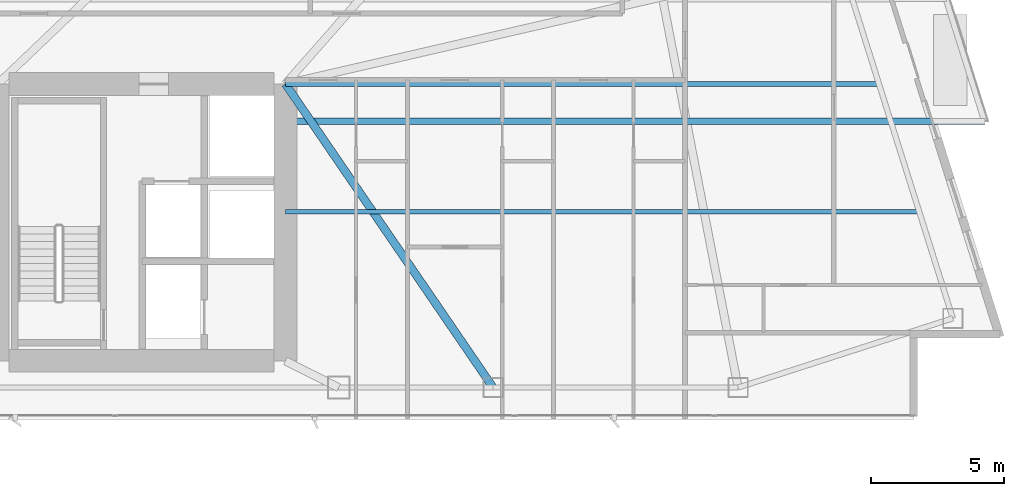
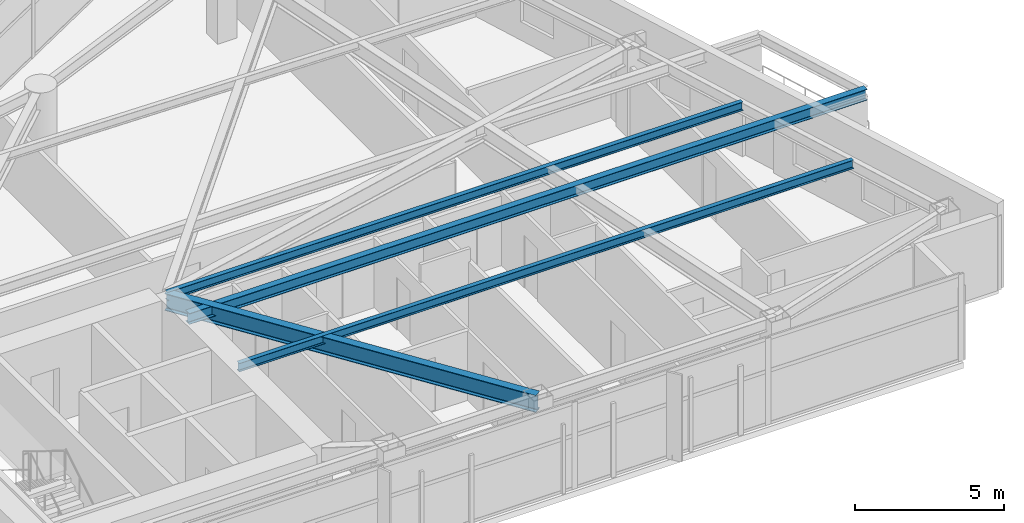
# One storey, part 13 of 29: 4 beams.
"""IFC4 building model written with IfcOpenShell, lengths in metres."""

import ifcopenshell
import ifcopenshell.guid

model = None  # the IFC model being written
_history = None  # IfcOwnerHistory: only IFC2X3 demands one
_inside = {}  # id of a spatial element -> (the spatial element, [elements in it])
_under = {}  # id of a project, library or spatial element -> (it, [spatial elements below it])
_declared = {}  # id of a project -> (the project, [libraries it declares])
_typed = {}  # id of a type object -> (the type object, [elements of that type])
_made_of = {}  # id of a material, layer set ... -> (it, [elements and type objects made of it])


def new_model(schema):
    """Start an empty IFC model of exactly this schema.

    Asked for "IFC4X3", IfcOpenShell would pick the latest addendum, in which some entities
    have other attributes; the version numbers below select the first issue.
    IFC2X3 requires an IfcOwnerHistory on every rooted entity: one is made here for all.
    """
    global model, _history
    if schema == "IFC4X3":
        model = ifcopenshell.file(schema_version=(4, 3, 0, 0))
    else:
        model = ifcopenshell.file(schema=schema)
    _inside.clear()
    _under.clear()
    _declared.clear()
    _typed.clear()
    _made_of.clear()
    _history = None
    if model.schema == "IFC2X3":
        org = make("IfcOrganization", Name="unknown")
        user = make(
            "IfcPersonAndOrganization",
            ThePerson=make("IfcPerson", FamilyName="unknown"),
            TheOrganization=org,
        )
        app = make(
            "IfcApplication",
            ApplicationDeveloper=org,
            Version="unknown",
            ApplicationFullName="unknown",
            ApplicationIdentifier="unknown",
        )
        _history = make(
            "IfcOwnerHistory",
            OwningUser=user,
            OwningApplication=app,
            ChangeAction="ADDED",
            CreationDate=0,
        )
    return model


def make(cls, **values):
    """One entity of the class cls with the attributes given. An attribute that is None is left unset."""
    return model.create_entity(
        cls, **{name: value for name, value in values.items() if value is not None}
    )


def rooted(cls, **values):
    """An entity with a GlobalId (a new one), such as an element, a storey or a relation."""
    return make(cls, GlobalId=ifcopenshell.guid.new(), OwnerHistory=_history, **values)


def si_unit(unit_type, name, prefix=None):
    """IfcSIUnit, for example si_unit("LENGTHUNIT", "METRE", prefix="MILLI")."""
    return make("IfcSIUnit", UnitType=unit_type, Prefix=prefix, Name=name)


def assignment(units):
    """IfcUnitAssignment: the units of a project."""
    return None if units is None else make("IfcUnitAssignment", Units=units)


def point(xyz):
    """IfcCartesianPoint."""
    return None if xyz is None else make("IfcCartesianPoint", Coordinates=xyz)


def direction(xyz):
    """IfcDirection."""
    return None if xyz is None else make("IfcDirection", DirectionRatios=xyz)


def frame(location, z_axis=None, x_axis=None):
    """IfcAxis2Placement3D, a coordinate frame: its origin and axes. An axis left out is left unset."""
    return make(
        "IfcAxis2Placement3D",
        Location=point(location),
        Axis=direction(z_axis),
        RefDirection=direction(x_axis),
    )


def frame_2d(location, x_axis=None):
    """IfcAxis2Placement2D, a coordinate frame in the plane: its origin and x axis."""
    return make(
        "IfcAxis2Placement2D", Location=point(location), RefDirection=direction(x_axis)
    )


def origin():
    """The frame at (0, 0, 0) with its axes left unset."""
    return frame((0.0, 0.0, 0.0))


def origin_2d():
    """The frame at (0, 0) in the plane with its x axis left unset."""
    return frame_2d((0.0, 0.0))


def place(relative_to, where):
    """IfcLocalPlacement: puts the frame where relative to a parent placement (None: the world)."""
    return make(
        "IfcLocalPlacement", PlacementRelTo=relative_to, RelativePlacement=where
    )


def context(
    kind, dimensions, precision=None, world=None, true_north=None, identifier=None
):
    """IfcGeometricRepresentationContext, for example the 3D "Model" context."""
    return make(
        "IfcGeometricRepresentationContext",
        ContextIdentifier=identifier,
        ContextType=kind,
        CoordinateSpaceDimension=dimensions,
        Precision=precision,
        WorldCoordinateSystem=world,
        TrueNorth=true_north,
    )


def subcontext(parent, identifier, kind, view, scale=None):
    """IfcGeometricRepresentationSubContext, for example "Body" below "Model"."""
    return make(
        "IfcGeometricRepresentationSubContext",
        ContextIdentifier=identifier,
        ContextType=kind,
        ParentContext=parent,
        TargetScale=scale,
        TargetView=view,
    )


def project(units=None, contexts=None):
    """IfcProject with its units and contexts."""
    return rooted(
        "IfcProject",
        Name="project",
        RepresentationContexts=contexts,
        UnitsInContext=assignment(units),
    )


def spatial(cls, under=None, at=None, **own):
    """A site, building, storey or space (cls), placed at a placement, below another one or the project."""
    s = rooted(cls, ObjectPlacement=at, **own)
    if under is not None:
        _under.setdefault(under.id(), (under, []))[1].append(s)
    return s


def profile(cls, at=None, kind="AREA", **sizes):
    """A parametric profile (cls). Its sizes go by their IFC names, for example OverallWidth=200.0."""
    return make(cls, ProfileType=kind, Position=at, **sizes)


def i_section(**sizes):
    """IfcIShapeProfileDef."""
    return profile("IfcIShapeProfileDef", **sizes)


def extrude(swept, where, along, depth):
    """IfcExtrudedAreaSolid: the profile swept, set in the frame where, extruded along a direction by depth."""
    return make(
        "IfcExtrudedAreaSolid",
        SweptArea=swept,
        Position=where,
        ExtrudedDirection=direction(along),
        Depth=depth,
    )


def shape(context_of_items, identifier, shape_type, items):
    """IfcShapeRepresentation: the items that make up one representation, for example the "Body"."""
    return make(
        "IfcShapeRepresentation",
        ContextOfItems=context_of_items,
        RepresentationIdentifier=identifier,
        RepresentationType=shape_type,
        Items=items,
    )


def material(Name=None, Category=None):
    """IfcMaterial."""
    return make("IfcMaterial", Name=Name, Category=Category)


def material_profile(
    of_material, cross_section, Name=None, Category=None, Priority=None
):
    """IfcMaterialProfile: a cross section and its material."""
    return make(
        "IfcMaterialProfile",
        Name=Name,
        Material=of_material,
        Profile=cross_section,
        Priority=Priority,
        Category=Category,
    )


def profile_set(profiles, Name=None, composite=None):
    """IfcMaterialProfileSet."""
    return make(
        "IfcMaterialProfileSet",
        Name=Name,
        MaterialProfiles=profiles,
        CompositeProfile=composite,
    )


def made_of(thing, what):
    """Note that an element or type object is made of a material, layer set ...; save() writes the relation."""
    if what is not None:
        _made_of.setdefault(what.id(), (what, []))[1].append(thing)
    return thing


def type_object(cls, material=None, **own):
    """A type object (cls), such as IfcWallType, which elements share."""
    return made_of(rooted(cls, **own), material)


def element(
    cls,
    number,
    at=None,
    inside=None,
    cuts=None,
    type_object=None,
    material=None,
    context=None,
    identifier="Body",
    shape_type=None,
    held_by="IfcProductDefinitionShape",
    body=None,
    shapes=None,
    **own,
):
    """One element of the class cls, such as IfcWall. Its Tag is "e" and its number.

    at: its placement. inside: the storey or other place that contains it. cuts: it is an
    opening in that element (IfcRelVoidsElement). A single representation is given by context,
    identifier, shape_type and body (its items); several are given by shapes. held_by: the class
    of the entity that holds the representations. save() writes the other relations.
    """
    e = rooted(cls, Tag="e%d" % number, ObjectPlacement=at, **own)
    if body is not None:
        shapes = [shape(context, identifier, shape_type, body)]
    if shapes is not None:
        e.Representation = make(held_by, Representations=shapes)
    if inside is not None:
        _inside.setdefault(inside.id(), (inside, []))[1].append(e)
    if cuts is not None:
        rooted(
            "IfcRelVoidsElement", RelatingBuildingElement=cuts, RelatedOpeningElement=e
        )
    if type_object is not None:
        _typed.setdefault(type_object.id(), (type_object, []))[1].append(e)
    return made_of(e, material)


def aggregate(whole, parts):
    """IfcRelAggregates: a whole, such as a stair, and the parts it consists of."""
    return rooted("IfcRelAggregates", RelatingObject=whole, RelatedObjects=parts)


def save(model, path):
    """Write the relations noted so far, then the file.

    IfcRelAggregates (storeys below a building ...), IfcRelContainedInSpatialStructure (elements
    in a storey), IfcRelDefinesByType, IfcRelAssociatesMaterial and IfcRelDeclares: one each for
    every whole, place, type object, material and project.
    """
    for whole, parts in _under.values():
        aggregate(whole, parts)
    for where, things in _inside.values():
        rooted(
            "IfcRelContainedInSpatialStructure",
            RelatedElements=things,
            RelatingStructure=where,
        )
    for kind, things in _typed.values():
        rooted("IfcRelDefinesByType", RelatedObjects=things, RelatingType=kind)
    for what, things in _made_of.values():
        rooted("IfcRelAssociatesMaterial", RelatedObjects=things, RelatingMaterial=what)
    for by, libraries in _declared.values():
        rooted("IfcRelDeclares", RelatingContext=by, RelatedDefinitions=libraries)
    model.write(path)


model = new_model("IFC4")

# Units and contexts
model_context = context("Model", 3, precision=1e-05, world=origin(), true_north=direction((0.0, 1.0)))
body_context = subcontext(model_context, "Body", "Model", "MODEL_VIEW")
ifc_project = project(units=[si_unit("LENGTHUNIT", "METRE"), si_unit("AREAUNIT", "SQUARE_METRE"), si_unit("VOLUMEUNIT", "CUBIC_METRE"), si_unit("PLANEANGLEUNIT", "RADIAN"), si_unit("MASSUNIT", "GRAM", prefix="KILO")], contexts=[model_context])

# Site, building, storey
site_placement = place(None, origin())
site = spatial("IfcSite", under=ifc_project, at=site_placement, CompositionType="ELEMENT")
building_placement = place(site_placement, origin())
building = spatial("IfcBuilding", under=site, at=building_placement, Name="Calvorn Quay Hotel", CompositionType="ELEMENT")
storey_placement = place(building_placement, frame((0.0, 0.0, 105.0)))
storey = spatial("IfcBuildingStorey", under=building, at=storey_placement, Name="L25", CompositionType="ELEMENT", Elevation=105.0)

# Beams
ifc_material_1 = material(Name="Steel Q355B", Category="steel")
ifc_material_profile_1 = material_profile(ifc_material_1, i_section(OverallWidth=0.25, OverallDepth=0.449951171875, WebThickness=0.011962890625, FlangeThickness=0.01611328125, FilletRadius=0.01611328125, at=origin_2d()), Name="HN450x250x12x16")
ifc_profile_set_1 = profile_set([ifc_material_profile_1], Name="Steel Q355B")
beam_type_1 = type_object("IfcBeamType", Name="BM-CANT-BALC", PredefinedType="BEAM", material=ifc_profile_set_1)
beam_1_placement = place(storey_placement, frame((32.39990234375, 13.60009765625, 3.31494140625), z_axis=(1.0, 0.0, 0.0), x_axis=(0.0, 1.0, 0.0)))
element("IfcBeam", 1, at=beam_1_placement, inside=storey, type_object=beam_type_1, Name="Cantilever Balcony Beam BCB-L26-1A", PredefinedType="BEAM", context=body_context, shape_type="SweptSolid", body=[
    extrude(i_section(OverallWidth=0.25, OverallDepth=0.449951171875, WebThickness=0.011962890625, FlangeThickness=0.01611328125, FilletRadius=0.01611328125, at=origin_2d()), origin(), (0.0, 0.0, 1.0), 26.26904296875),
])
ifc_material_2 = material(Name="Steel Q390GJC", Category="steel")
ifc_material_profile_2 = material_profile(ifc_material_2, i_section(OverallWidth=0.300048828125, OverallDepth=0.699951171875, WebThickness=0.012939453125, FlangeThickness=0.02392578125, FilletRadius=0.02392578125, at=origin_2d()), Name="HN700x300x13x24")
ifc_profile_set_2 = profile_set([ifc_material_profile_2], Name="Steel Q390GJC")
beam_type_2 = type_object("IfcBeamType", Name="BM-GIRD-MAIN", PredefinedType="BEAM", material=ifc_profile_set_2)
beam_2_placement = place(storey_placement, frame((40.199951171875, 3.60009765625, 3.18994140625), z_axis=(-0.564689618177, 0.825303359452, 0.0), x_axis=(-0.825303359452, -0.564689618177, 0.0)))
element("IfcBeam", 2, at=beam_2_placement, inside=storey, type_object=beam_type_2, Name="Beam BG-L25-E6", PredefinedType="BEAM", context=body_context, shape_type="SweptSolid", body=[
    extrude(i_section(OverallWidth=0.300048828125, OverallDepth=0.699951171875, WebThickness=0.012939453125, FlangeThickness=0.02392578125, FilletRadius=0.02392578125, at=origin_2d()), origin(), (0.0, 0.0, 1.0), 13.81298828125),
])
ifc_material_3 = material(Name="Steel Q355B", Category="steel")
ifc_material_profile_3 = material_profile(ifc_material_3, i_section(OverallWidth=0.175048828125, OverallDepth=0.35009765625, WebThickness=0.007080078125, FlangeThickness=0.010986328125, FilletRadius=0.013916015625, at=origin_2d()), Name="HN350x175x7x11")
ifc_profile_set_3 = profile_set([ifc_material_profile_3], Name="Steel Q355B")
beam_type_3 = type_object("IfcBeamType", Name="BM-JOIST-SEC", PredefinedType="JOIST", material=ifc_profile_set_3)
beam_3_placement = place(storey_placement, frame((32.39990234375, 10.199951171875, 3.364990234375), z_axis=(1.0, 0.0, 0.0), x_axis=(0.0, 1.0, 0.0)))
element("IfcBeam", 3, at=beam_3_placement, inside=storey, type_object=beam_type_3, Name="Beam BJ-L25-E1", PredefinedType="JOIST", context=body_context, shape_type="SweptSolid", body=[
    extrude(i_section(OverallWidth=0.175048828125, OverallDepth=0.35009765625, WebThickness=0.007080078125, FlangeThickness=0.010986328125, FilletRadius=0.013916015625, at=origin_2d()), origin(), (0.0, 0.0, 1.0), 23.801025390625),
])
beam_4_placement = place(storey_placement, frame((32.39990234375, 15.0, 3.364990234375), z_axis=(1.0, 0.0, 0.0), x_axis=(0.0, 1.0, 0.0)))
element("IfcBeam", 4, at=beam_4_placement, inside=storey, type_object=beam_type_3, Name="Beam BJ-L25-E2", PredefinedType="JOIST", context=body_context, shape_type="SweptSolid", body=[
    extrude(i_section(OverallWidth=0.175048828125, OverallDepth=0.35009765625, WebThickness=0.007080078125, FlangeThickness=0.010986328125, FilletRadius=0.013916015625, at=origin_2d()), origin(), (0.0, 0.0, 1.0), 22.2880859375),
])

save(model, "model.ifc")
